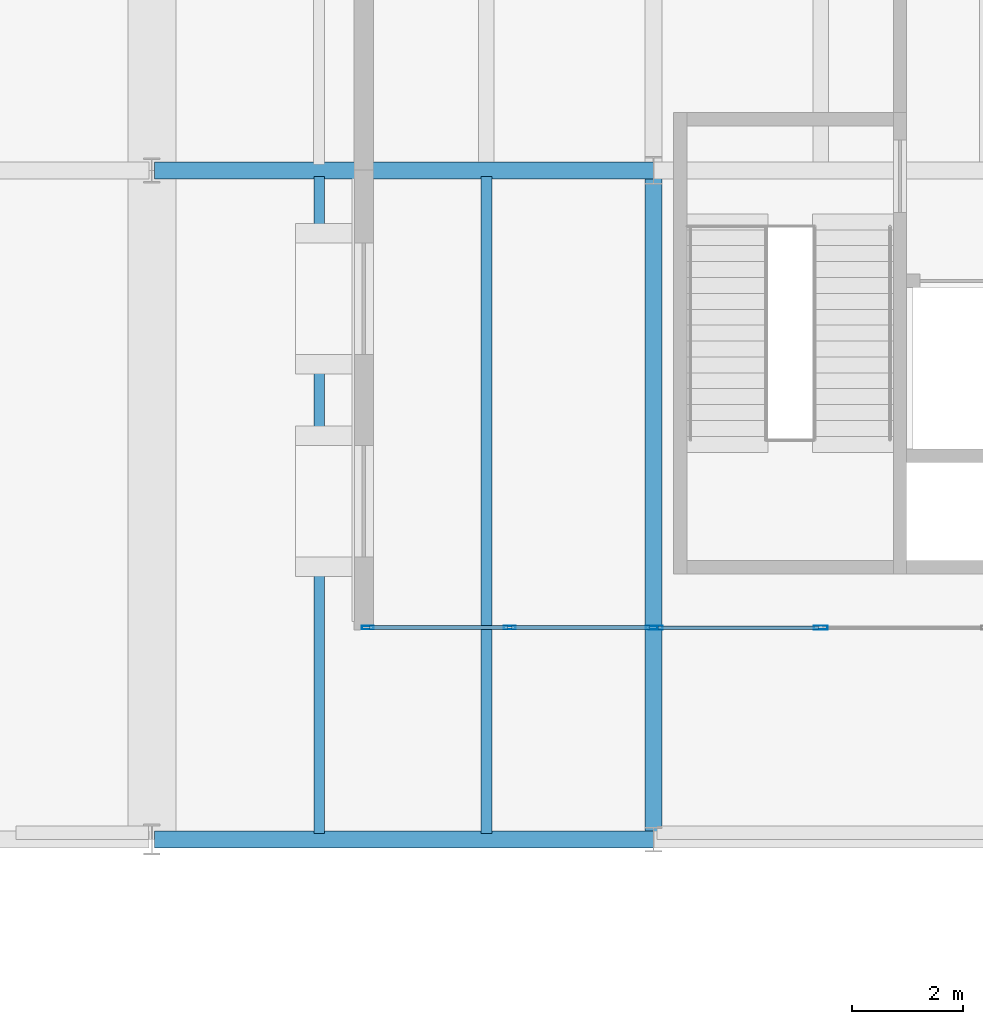
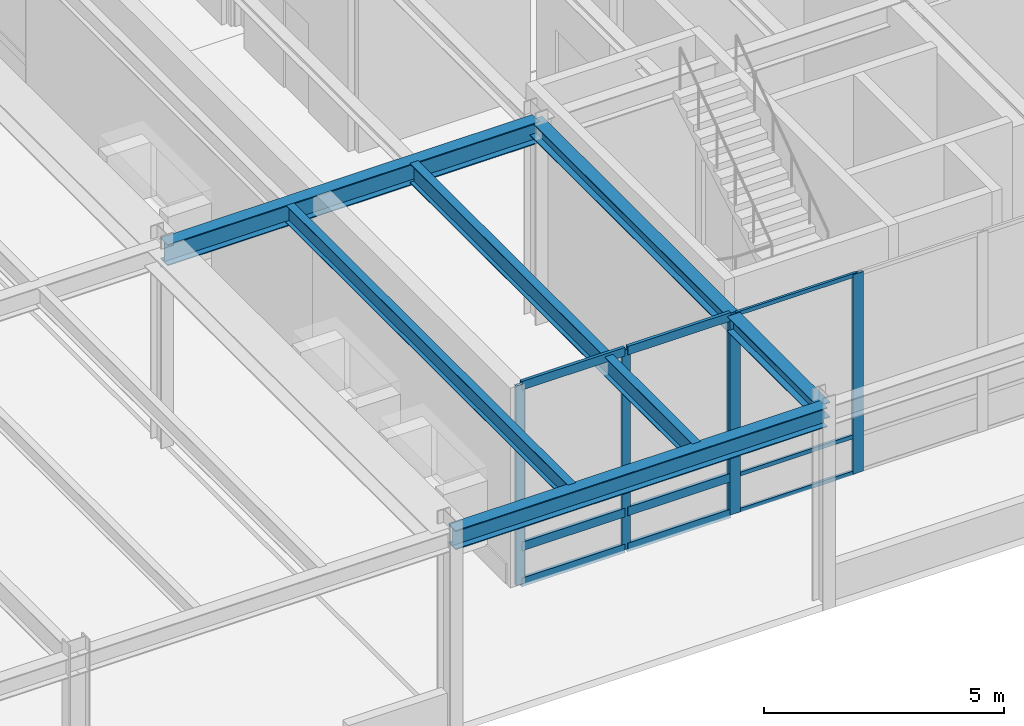
# One storey, part 34 of 143: 14 members, 5 beams, 2 elements without a shape of their own.
"""IFC4 building model written with IfcOpenShell, lengths in metres."""

import ifcopenshell
import ifcopenshell.guid

model = None  # the IFC model being written
_history = None  # IfcOwnerHistory: only IFC2X3 demands one
_inside = {}  # id of a spatial element -> (the spatial element, [elements in it])
_under = {}  # id of a project, library or spatial element -> (it, [spatial elements below it])
_declared = {}  # id of a project -> (the project, [libraries it declares])
_typed = {}  # id of a type object -> (the type object, [elements of that type])
_made_of = {}  # id of a material, layer set ... -> (it, [elements and type objects made of it])


def new_model(schema):
    """Start an empty IFC model of exactly this schema.

    Asked for "IFC4X3", IfcOpenShell would pick the latest addendum, in which some entities
    have other attributes; the version numbers below select the first issue.
    IFC2X3 requires an IfcOwnerHistory on every rooted entity: one is made here for all.
    """
    global model, _history
    if schema == "IFC4X3":
        model = ifcopenshell.file(schema_version=(4, 3, 0, 0))
    else:
        model = ifcopenshell.file(schema=schema)
    _inside.clear()
    _under.clear()
    _declared.clear()
    _typed.clear()
    _made_of.clear()
    _history = None
    if model.schema == "IFC2X3":
        org = make("IfcOrganization", Name="unknown")
        user = make(
            "IfcPersonAndOrganization",
            ThePerson=make("IfcPerson", FamilyName="unknown"),
            TheOrganization=org,
        )
        app = make(
            "IfcApplication",
            ApplicationDeveloper=org,
            Version="unknown",
            ApplicationFullName="unknown",
            ApplicationIdentifier="unknown",
        )
        _history = make(
            "IfcOwnerHistory",
            OwningUser=user,
            OwningApplication=app,
            ChangeAction="ADDED",
            CreationDate=0,
        )
    return model


def make(cls, **values):
    """One entity of the class cls with the attributes given. An attribute that is None is left unset."""
    return model.create_entity(
        cls, **{name: value for name, value in values.items() if value is not None}
    )


def rooted(cls, **values):
    """An entity with a GlobalId (a new one), such as an element, a storey or a relation."""
    return make(cls, GlobalId=ifcopenshell.guid.new(), OwnerHistory=_history, **values)


def si_unit(unit_type, name, prefix=None):
    """IfcSIUnit, for example si_unit("LENGTHUNIT", "METRE", prefix="MILLI")."""
    return make("IfcSIUnit", UnitType=unit_type, Prefix=prefix, Name=name)


def assignment(units):
    """IfcUnitAssignment: the units of a project."""
    return None if units is None else make("IfcUnitAssignment", Units=units)


def point(xyz):
    """IfcCartesianPoint."""
    return None if xyz is None else make("IfcCartesianPoint", Coordinates=xyz)


def direction(xyz):
    """IfcDirection."""
    return None if xyz is None else make("IfcDirection", DirectionRatios=xyz)


def frame(location, z_axis=None, x_axis=None):
    """IfcAxis2Placement3D, a coordinate frame: its origin and axes. An axis left out is left unset."""
    return make(
        "IfcAxis2Placement3D",
        Location=point(location),
        Axis=direction(z_axis),
        RefDirection=direction(x_axis),
    )


def frame_2d(location, x_axis=None):
    """IfcAxis2Placement2D, a coordinate frame in the plane: its origin and x axis."""
    return make(
        "IfcAxis2Placement2D", Location=point(location), RefDirection=direction(x_axis)
    )


def origin():
    """The frame at (0, 0, 0) with its axes left unset."""
    return frame((0.0, 0.0, 0.0))


def origin_2d():
    """The frame at (0, 0) in the plane with its x axis left unset."""
    return frame_2d((0.0, 0.0))


def place(relative_to, where):
    """IfcLocalPlacement: puts the frame where relative to a parent placement (None: the world)."""
    return make(
        "IfcLocalPlacement", PlacementRelTo=relative_to, RelativePlacement=where
    )


def context(
    kind, dimensions, precision=None, world=None, true_north=None, identifier=None
):
    """IfcGeometricRepresentationContext, for example the 3D "Model" context."""
    return make(
        "IfcGeometricRepresentationContext",
        ContextIdentifier=identifier,
        ContextType=kind,
        CoordinateSpaceDimension=dimensions,
        Precision=precision,
        WorldCoordinateSystem=world,
        TrueNorth=true_north,
    )


def subcontext(parent, identifier, kind, view, scale=None):
    """IfcGeometricRepresentationSubContext, for example "Body" below "Model"."""
    return make(
        "IfcGeometricRepresentationSubContext",
        ContextIdentifier=identifier,
        ContextType=kind,
        ParentContext=parent,
        TargetScale=scale,
        TargetView=view,
    )


def project(units=None, contexts=None):
    """IfcProject with its units and contexts."""
    return rooted(
        "IfcProject",
        Name="project",
        RepresentationContexts=contexts,
        UnitsInContext=assignment(units),
    )


def spatial(cls, under=None, at=None, **own):
    """A site, building, storey or space (cls), placed at a placement, below another one or the project."""
    s = rooted(cls, ObjectPlacement=at, **own)
    if under is not None:
        _under.setdefault(under.id(), (under, []))[1].append(s)
    return s


def profile(cls, at=None, kind="AREA", **sizes):
    """A parametric profile (cls). Its sizes go by their IFC names, for example OverallWidth=200.0."""
    return make(cls, ProfileType=kind, Position=at, **sizes)


def hollow_rectangle(**sizes):
    """IfcRectangleHollowProfileDef."""
    return profile("IfcRectangleHollowProfileDef", **sizes)


def i_section(**sizes):
    """IfcIShapeProfileDef."""
    return profile("IfcIShapeProfileDef", **sizes)


def extrude(swept, where, along, depth):
    """IfcExtrudedAreaSolid: the profile swept, set in the frame where, extruded along a direction by depth."""
    return make(
        "IfcExtrudedAreaSolid",
        SweptArea=swept,
        Position=where,
        ExtrudedDirection=direction(along),
        Depth=depth,
    )


def shape(context_of_items, identifier, shape_type, items):
    """IfcShapeRepresentation: the items that make up one representation, for example the "Body"."""
    return make(
        "IfcShapeRepresentation",
        ContextOfItems=context_of_items,
        RepresentationIdentifier=identifier,
        RepresentationType=shape_type,
        Items=items,
    )


def material(Name=None, Category=None):
    """IfcMaterial."""
    return make("IfcMaterial", Name=Name, Category=Category)


def layer(
    of_material, thickness, ventilated=None, Name=None, Category=None, Priority=None
):
    """IfcMaterialLayer: one layer of a wall or slab, of a material (None: an air gap)."""
    return make(
        "IfcMaterialLayer",
        Material=of_material,
        LayerThickness=thickness,
        IsVentilated=ventilated,
        Name=Name,
        Category=Category,
        Priority=Priority,
    )


def layer_set(layers, Name=None):
    """IfcMaterialLayerSet."""
    return make("IfcMaterialLayerSet", MaterialLayers=layers, LayerSetName=Name)


def material_profile(
    of_material, cross_section, Name=None, Category=None, Priority=None
):
    """IfcMaterialProfile: a cross section and its material."""
    return make(
        "IfcMaterialProfile",
        Name=Name,
        Material=of_material,
        Profile=cross_section,
        Priority=Priority,
        Category=Category,
    )


def profile_set(profiles, Name=None, composite=None):
    """IfcMaterialProfileSet."""
    return make(
        "IfcMaterialProfileSet",
        Name=Name,
        MaterialProfiles=profiles,
        CompositeProfile=composite,
    )


def made_of(thing, what):
    """Note that an element or type object is made of a material, layer set ...; save() writes the relation."""
    if what is not None:
        _made_of.setdefault(what.id(), (what, []))[1].append(thing)
    return thing


def type_object(cls, material=None, **own):
    """A type object (cls), such as IfcWallType, which elements share."""
    return made_of(rooted(cls, **own), material)


def element(
    cls,
    number,
    at=None,
    inside=None,
    cuts=None,
    type_object=None,
    material=None,
    context=None,
    identifier="Body",
    shape_type=None,
    held_by="IfcProductDefinitionShape",
    body=None,
    shapes=None,
    **own,
):
    """One element of the class cls, such as IfcWall. Its Tag is "e" and its number.

    at: its placement. inside: the storey or other place that contains it. cuts: it is an
    opening in that element (IfcRelVoidsElement). A single representation is given by context,
    identifier, shape_type and body (its items); several are given by shapes. held_by: the class
    of the entity that holds the representations. save() writes the other relations.
    """
    e = rooted(cls, Tag="e%d" % number, ObjectPlacement=at, **own)
    if body is not None:
        shapes = [shape(context, identifier, shape_type, body)]
    if shapes is not None:
        e.Representation = make(held_by, Representations=shapes)
    if inside is not None:
        _inside.setdefault(inside.id(), (inside, []))[1].append(e)
    if cuts is not None:
        rooted(
            "IfcRelVoidsElement", RelatingBuildingElement=cuts, RelatedOpeningElement=e
        )
    if type_object is not None:
        _typed.setdefault(type_object.id(), (type_object, []))[1].append(e)
    return made_of(e, material)


def aggregate(whole, parts):
    """IfcRelAggregates: a whole, such as a stair, and the parts it consists of."""
    return rooted("IfcRelAggregates", RelatingObject=whole, RelatedObjects=parts)


def save(model, path):
    """Write the relations noted so far, then the file.

    IfcRelAggregates (storeys below a building ...), IfcRelContainedInSpatialStructure (elements
    in a storey), IfcRelDefinesByType, IfcRelAssociatesMaterial and IfcRelDeclares: one each for
    every whole, place, type object, material and project.
    """
    for whole, parts in _under.values():
        aggregate(whole, parts)
    for where, things in _inside.values():
        rooted(
            "IfcRelContainedInSpatialStructure",
            RelatedElements=things,
            RelatingStructure=where,
        )
    for kind, things in _typed.values():
        rooted("IfcRelDefinesByType", RelatedObjects=things, RelatingType=kind)
    for what, things in _made_of.values():
        rooted("IfcRelAssociatesMaterial", RelatedObjects=things, RelatingMaterial=what)
    for by, libraries in _declared.values():
        rooted("IfcRelDeclares", RelatingContext=by, RelatedDefinitions=libraries)
    model.write(path)


model = new_model("IFC4")

# Units and contexts
model_context = context("Model", 3, precision=1e-05, world=origin(), true_north=direction((0.0, 1.0)))
body_context = subcontext(model_context, "Body", "Model", "MODEL_VIEW")
ifc_project = project(units=[si_unit("LENGTHUNIT", "METRE"), si_unit("AREAUNIT", "SQUARE_METRE"), si_unit("VOLUMEUNIT", "CUBIC_METRE"), si_unit("PLANEANGLEUNIT", "RADIAN"), si_unit("MASSUNIT", "GRAM", prefix="KILO")], contexts=[model_context])

# Site, building, storey
site_placement = place(None, origin())
site = spatial("IfcSite", under=ifc_project, at=site_placement, CompositionType="ELEMENT")
building_placement = place(site_placement, origin())
building = spatial("IfcBuilding", under=site, at=building_placement, Name="Montelvaro Courts of Justice", CompositionType="ELEMENT")
storey_placement = place(building_placement, origin())
storey = spatial("IfcBuildingStorey", under=building, at=storey_placement, Name="L00", CompositionType="ELEMENT", Elevation=0.0)

# Beams
ifc_material_1 = material(Name="Steel S355", Category="steel")
ifc_material_profile_1 = material_profile(ifc_material_1, i_section(OverallWidth=0.300048828125, OverallDepth=0.389892578125, WebThickness=0.010986328125, FlangeThickness=0.01904296875, at=origin_2d()), Name="HEA 400")
ifc_profile_set_1 = profile_set([ifc_material_profile_1], Name="Steel S355")
beam_type_1 = type_object("IfcBeamType", Name="Beam_HEA400", PredefinedType="USERDEFINED", material=ifc_profile_set_1)
beam_1_placement = place(storey_placement, frame((108.0, 0.0, 4.885009765625), z_axis=(0.0, 1.0, 0.0), x_axis=(-1.0, 0.0, 0.0)))
element("IfcBeam", 1, at=beam_1_placement, inside=storey, type_object=beam_type_1, Name="Beam B-17 L00", ObjectType="GIRDER", PredefinedType="USERDEFINED", context=body_context, shape_type="SweptSolid", body=[
    extrude(i_section(OverallWidth=0.300048828125, OverallDepth=0.389892578125, WebThickness=0.010986328125, FlangeThickness=0.01904296875, at=origin_2d()), origin(), (0.0, 0.0, 1.0), 12.0),
])
ifc_material_profile_2 = material_profile(ifc_material_1, i_section(OverallWidth=0.300048828125, OverallDepth=0.489990234375, WebThickness=0.011962890625, FlangeThickness=0.02294921875, at=origin_2d()), Name="HEA 500")
ifc_profile_set_2 = profile_set([ifc_material_profile_2], Name="Steel S355")
beam_type_2 = type_object("IfcBeamType", Name="Beam_HEA500", PredefinedType="USERDEFINED", material=ifc_profile_set_2)
beam_2_placement = place(storey_placement, frame((99.050048828125, 0.0, 4.8349609375), z_axis=(1.0, 0.0, 0.0), x_axis=(0.0, 1.0, 0.0)))
element("IfcBeam", 2, at=beam_2_placement, inside=storey, type_object=beam_type_2, Name="Beam B-19 L00", ObjectType="GIRDER", PredefinedType="USERDEFINED", context=body_context, shape_type="SweptSolid", body=[
    extrude(i_section(OverallWidth=0.300048828125, OverallDepth=0.489990234375, WebThickness=0.011962890625, FlangeThickness=0.02294921875, at=origin_2d()), origin(), (0.0, 0.0, 1.0), 8.949951171875),
])
ifc_material_profile_3 = material_profile(ifc_material_1, i_section(OverallWidth=0.300048828125, OverallDepth=0.5400390625, WebThickness=0.012451171875, FlangeThickness=0.02392578125, at=origin_2d()), Name="HEA 550")
ifc_profile_set_3 = profile_set([ifc_material_profile_3], Name="Steel S355")
beam_type_3 = type_object("IfcBeamType", Name="Beam_HEA550", PredefinedType="USERDEFINED", material=ifc_profile_set_3)
beam_3_placement = place(storey_placement, frame((99.050048828125, 12.0, 4.81005859375), z_axis=(1.0, 0.0, 0.0), x_axis=(0.0, 1.0, 0.0)))
element("IfcBeam", 3, at=beam_3_placement, inside=storey, type_object=beam_type_3, Name="Beam B-20 L00", ObjectType="GIRDER", PredefinedType="USERDEFINED", context=body_context, shape_type="SweptSolid", body=[
    extrude(i_section(OverallWidth=0.300048828125, OverallDepth=0.5400390625, WebThickness=0.012451171875, FlangeThickness=0.02392578125, at=origin_2d()), origin(), (0.0, 0.0, 1.0), 8.949951171875),
])
ifc_material_profile_4 = material_profile(ifc_material_1, i_section(OverallWidth=0.18994140625, OverallDepth=0.449951171875, WebThickness=0.009521484375, FlangeThickness=0.0146484375, at=origin_2d()), Name="IPE 450")
ifc_profile_set_4 = profile_set([ifc_material_profile_4], Name="Steel S355")
beam_type_4 = type_object("IfcBeamType", Name="Beam_IPE450", PredefinedType="BEAM", material=ifc_profile_set_4)
beam_4_placement = place(storey_placement, frame((102.0, 0.110107421875, 4.85498046875), z_axis=(0.0, 1.0, 0.0), x_axis=(-1.0, 0.0, 0.0)))
element("IfcBeam", 4, at=beam_4_placement, inside=storey, type_object=beam_type_4, Name="Beam B-09 L00", PredefinedType="BEAM", context=body_context, shape_type="SweptSolid", body=[
    extrude(i_section(OverallWidth=0.18994140625, OverallDepth=0.449951171875, WebThickness=0.009521484375, FlangeThickness=0.0146484375, at=origin_2d()), origin(), (0.0, 0.0, 1.0), 11.77978515625),
])
ifc_material_profile_5 = material_profile(ifc_material_1, i_section(OverallWidth=0.199951171875, OverallDepth=0.5, WebThickness=0.01025390625, FlangeThickness=0.01611328125, at=origin_2d()), Name="IPE 500")
ifc_profile_set_5 = profile_set([ifc_material_profile_5], Name="Steel S355")
beam_type_5 = type_object("IfcBeamType", Name="Beam_IPE500", PredefinedType="BEAM", material=ifc_profile_set_5)
beam_5_placement = place(storey_placement, frame((105.0, 0.110107421875, 4.830078125), z_axis=(0.0, 1.0, 0.0), x_axis=(-1.0, 0.0, 0.0)))
element("IfcBeam", 5, at=beam_5_placement, inside=storey, type_object=beam_type_5, Name="Beam B-10 L00", PredefinedType="BEAM", context=body_context, shape_type="SweptSolid", body=[
    extrude(i_section(OverallWidth=0.199951171875, OverallDepth=0.5, WebThickness=0.01025390625, FlangeThickness=0.01611328125, at=origin_2d()), origin(), (0.0, 0.0, 1.0), 11.77978515625),
])

# Curtain wall, members
ifc_material_2 = material(Name="Anodised aluminium EN AW-6063", Category="aluminium")
ifc_layer_1 = layer(ifc_material_2, 0.159912109375)
ifc_layer_set_1 = layer_set([ifc_layer_1], Name="Anodised aluminium EN AW-6063")
curtain_wall_type_1 = type_object("IfcCurtainWallType", Name="CurtainWall_12_516x508", PredefinedType="USERDEFINED", material=ifc_layer_set_1)
curtain_wall_1_placement = place(storey_placement, origin())
curtain_wall_1 = element("IfcCurtainWall", 6, at=curtain_wall_1_placement, inside=storey, type_object=curtain_wall_type_1, Name="Curtain Wall CW-12 (L00)", ObjectType="CURTAIN WALL", PredefinedType="USERDEFINED")
ifc_material_profile_6 = material_profile(ifc_material_2, hollow_rectangle(XDim=0.06494140625, YDim=0.2099609375, WallThickness=0.0048828125, at=origin_2d()), Name="ALU-M 65x210")
ifc_profile_set_6 = profile_set([ifc_material_profile_6], Name="Anodised aluminium EN AW-6063")
member_type_1 = type_object("IfcMemberType", Name="CurtainWall_Mullion_65x210", PredefinedType="MULLION", material=ifc_profile_set_6)
member_1_placement = place(storey_placement, frame((102.87255859375, 3.800048828125, 0.0), z_axis=(0.0, 0.0, 1.0), x_axis=(0.0, 1.0, 0.0)))
member_1 = element("IfcMember", 7, at=member_1_placement, type_object=member_type_1, Name="CW-12 mullion 1", PredefinedType="MULLION", context=body_context, shape_type="SweptSolid", body=[
    extrude(hollow_rectangle(XDim=0.06494140625, YDim=0.2099609375, WallThickness=0.0048828125, at=origin_2d()), origin(), (0.0, 0.0, 1.0), 5.080078125),
])
member_2_placement = place(storey_placement, frame((105.419921875, 3.800048828125, 0.0), z_axis=(0.0, 0.0, 1.0), x_axis=(0.0, 1.0, 0.0)))
member_2 = element("IfcMember", 8, at=member_2_placement, type_object=member_type_1, Name="CW-12 mullion 2", PredefinedType="MULLION", context=body_context, shape_type="SweptSolid", body=[
    extrude(hollow_rectangle(XDim=0.06494140625, YDim=0.2099609375, WallThickness=0.0048828125, at=origin_2d()), origin(), (0.0, 0.0, 1.0), 5.080078125),
])
member_3_placement = place(storey_placement, frame((107.967529296875, 3.800048828125, 0.0), z_axis=(0.0, 0.0, 1.0), x_axis=(0.0, 1.0, 0.0)))
member_3 = element("IfcMember", 9, at=member_3_placement, type_object=member_type_1, Name="CW-12 mullion 3", PredefinedType="MULLION", context=body_context, shape_type="SweptSolid", body=[
    extrude(hollow_rectangle(XDim=0.06494140625, YDim=0.2099609375, WallThickness=0.0048828125, at=origin_2d()), origin(), (0.0, 0.0, 1.0), 5.080078125),
])

ifc_layer_2 = layer(ifc_material_2, 0.159912109375)
ifc_layer_set_2 = layer_set([ifc_layer_2], Name="Anodised aluminium EN AW-6063")
curtain_wall_type_2 = type_object("IfcCurtainWallType", Name="CurtainWall_11_900x508", PredefinedType="USERDEFINED", material=ifc_layer_set_2)
curtain_wall_2_placement = place(storey_placement, origin())
curtain_wall_2 = element("IfcCurtainWall", 10, at=curtain_wall_2_placement, inside=storey, type_object=curtain_wall_type_2, Name="Curtain Wall CW-11 (L00)", ObjectType="CURTAIN WALL", PredefinedType="USERDEFINED")
ifc_material_profile_7 = material_profile(ifc_material_2, hollow_rectangle(XDim=0.074951171875, YDim=0.25, WallThickness=0.005615234375, at=origin_2d()), Name="ALU-M 75x250")
ifc_profile_set_7 = profile_set([ifc_material_profile_7], Name="Anodised aluminium EN AW-6063")
member_type_2 = type_object("IfcMemberType", Name="CurtainWall_Mullion_75x250", PredefinedType="MULLION", material=ifc_profile_set_7)
member_4_placement = place(storey_placement, frame((108.03759765625, 3.800048828125, 0.0), z_axis=(0.0, 0.0, 1.0), x_axis=(0.0, 1.0, 0.0)))
member_4 = element("IfcMember", 11, at=member_4_placement, type_object=member_type_2, Name="CW-11 mullion 1", PredefinedType="MULLION", context=body_context, shape_type="SweptSolid", body=[
    extrude(hollow_rectangle(XDim=0.074951171875, YDim=0.25, WallThickness=0.005615234375, at=origin_2d()), origin(), (0.0, 0.0, 1.0), 5.080078125),
])
member_5_placement = place(storey_placement, frame((111.0, 3.800048828125, 0.0), z_axis=(0.0, 0.0, 1.0), x_axis=(0.0, 1.0, 0.0)))
member_5 = element("IfcMember", 12, at=member_5_placement, type_object=member_type_2, Name="CW-11 mullion 2", PredefinedType="MULLION", context=body_context, shape_type="SweptSolid", body=[
    extrude(hollow_rectangle(XDim=0.074951171875, YDim=0.25, WallThickness=0.005615234375, at=origin_2d()), origin(), (0.0, 0.0, 1.0), 5.080078125),
])
ifc_material_profile_8 = material_profile(ifc_material_2, hollow_rectangle(XDim=0.06005859375, YDim=0.10009765625, WallThickness=0.00341796875, at=origin_2d()), Name="ALU-T 60x100")
ifc_profile_set_8 = profile_set([ifc_material_profile_8], Name="Anodised aluminium EN AW-6063")
member_type_3 = type_object("IfcMemberType", Name="CurtainWall_Transom_60x100", PredefinedType="USERDEFINED", material=ifc_profile_set_8)
member_6_placement = place(storey_placement, frame((108.074951171875, 3.800048828125, 0.030029296875), z_axis=(1.0, 0.0, 0.0), x_axis=(0.0, 1.0, 0.0)))
member_6 = element("IfcMember", 13, at=member_6_placement, type_object=member_type_3, Name="CW-11 transom 1.1", ObjectType="TRANSOM", PredefinedType="USERDEFINED", context=body_context, shape_type="SweptSolid", body=[
    extrude(hollow_rectangle(XDim=0.06005859375, YDim=0.10009765625, WallThickness=0.00341796875, at=origin_2d()), origin(), (0.0, 0.0, 1.0), 2.887451171875),
])
member_7_placement = place(storey_placement, frame((108.074951171875, 3.800048828125, 0.949951171875), z_axis=(1.0, 0.0, 0.0), x_axis=(0.0, 1.0, 0.0)))
member_7 = element("IfcMember", 14, at=member_7_placement, type_object=member_type_3, Name="CW-11 transom 1.2", ObjectType="TRANSOM", PredefinedType="USERDEFINED", context=body_context, shape_type="SweptSolid", body=[
    extrude(hollow_rectangle(XDim=0.06005859375, YDim=0.10009765625, WallThickness=0.00341796875, at=origin_2d()), origin(), (0.0, 0.0, 1.0), 2.887451171875),
])
member_8_placement = place(storey_placement, frame((108.074951171875, 3.800048828125, 5.050048828125), z_axis=(1.0, 0.0, 0.0), x_axis=(0.0, 1.0, 0.0)))
member_8 = element("IfcMember", 15, at=member_8_placement, type_object=member_type_3, Name="CW-11 transom 1.3", ObjectType="TRANSOM", PredefinedType="USERDEFINED", context=body_context, shape_type="SweptSolid", body=[
    extrude(hollow_rectangle(XDim=0.06005859375, YDim=0.10009765625, WallThickness=0.00341796875, at=origin_2d()), origin(), (0.0, 0.0, 1.0), 2.887451171875),
])
aggregate(curtain_wall_2, [member_4, member_5, member_6, member_7, member_8])

# Member
ifc_material_profile_9 = material_profile(ifc_material_2, hollow_rectangle(XDim=0.074951171875, YDim=0.219970703125, WallThickness=0.005615234375, at=origin_2d()), Name="ALU-T 75x220")
ifc_profile_set_9 = profile_set([ifc_material_profile_9], Name="Anodised aluminium EN AW-6063")
member_type_4 = type_object("IfcMemberType", Name="CurtainWall_Transom_75x220", PredefinedType="USERDEFINED", material=ifc_profile_set_9)
member_9_placement = place(storey_placement, frame((102.905029296875, 3.800048828125, 0.03759765625), z_axis=(1.0, 0.0, 0.0), x_axis=(0.0, 1.0, 0.0)))
member_9 = element("IfcMember", 16, at=member_9_placement, type_object=member_type_4, Name="CW-12 transom 1.1", ObjectType="TRANSOM", PredefinedType="USERDEFINED", context=body_context, shape_type="SweptSolid", body=[
    extrude(hollow_rectangle(XDim=0.074951171875, YDim=0.219970703125, WallThickness=0.005615234375, at=origin_2d()), origin(), (0.0, 0.0, 1.0), 2.482421875),
])

member_10_placement = place(storey_placement, frame((102.905029296875, 3.800048828125, 0.949951171875), z_axis=(1.0, 0.0, 0.0), x_axis=(0.0, 1.0, 0.0)))
member_10 = element("IfcMember", 17, at=member_10_placement, type_object=member_type_4, Name="CW-12 transom 1.2", ObjectType="TRANSOM", PredefinedType="USERDEFINED", context=body_context, shape_type="SweptSolid", body=[
    extrude(hollow_rectangle(XDim=0.074951171875, YDim=0.219970703125, WallThickness=0.005615234375, at=origin_2d()), origin(), (0.0, 0.0, 1.0), 2.482421875),
])

member_11_placement = place(storey_placement, frame((102.905029296875, 3.800048828125, 5.04248046875), z_axis=(1.0, 0.0, 0.0), x_axis=(0.0, 1.0, 0.0)))
member_11 = element("IfcMember", 18, at=member_11_placement, type_object=member_type_4, Name="CW-12 transom 1.3", ObjectType="TRANSOM", PredefinedType="USERDEFINED", context=body_context, shape_type="SweptSolid", body=[
    extrude(hollow_rectangle(XDim=0.074951171875, YDim=0.219970703125, WallThickness=0.005615234375, at=origin_2d()), origin(), (0.0, 0.0, 1.0), 2.482421875),
])

member_12_placement = place(storey_placement, frame((105.452392578125, 3.800048828125, 0.03759765625), z_axis=(1.0, 0.0, 0.0), x_axis=(0.0, 1.0, 0.0)))
member_12 = element("IfcMember", 19, at=member_12_placement, type_object=member_type_4, Name="CW-12 transom 2.1", ObjectType="TRANSOM", PredefinedType="USERDEFINED", context=body_context, shape_type="SweptSolid", body=[
    extrude(hollow_rectangle(XDim=0.074951171875, YDim=0.219970703125, WallThickness=0.005615234375, at=origin_2d()), origin(), (0.0, 0.0, 1.0), 2.482666015625),
])

member_13_placement = place(storey_placement, frame((105.452392578125, 3.800048828125, 0.949951171875), z_axis=(1.0, 0.0, 0.0), x_axis=(0.0, 1.0, 0.0)))
member_13 = element("IfcMember", 20, at=member_13_placement, type_object=member_type_4, Name="CW-12 transom 2.2", ObjectType="TRANSOM", PredefinedType="USERDEFINED", context=body_context, shape_type="SweptSolid", body=[
    extrude(hollow_rectangle(XDim=0.074951171875, YDim=0.219970703125, WallThickness=0.005615234375, at=origin_2d()), origin(), (0.0, 0.0, 1.0), 2.482666015625),
])

member_14_placement = place(storey_placement, frame((105.452392578125, 3.800048828125, 5.04248046875), z_axis=(1.0, 0.0, 0.0), x_axis=(0.0, 1.0, 0.0)))
member_14 = element("IfcMember", 21, at=member_14_placement, type_object=member_type_4, Name="CW-12 transom 2.3", ObjectType="TRANSOM", PredefinedType="USERDEFINED", context=body_context, shape_type="SweptSolid", body=[
    extrude(hollow_rectangle(XDim=0.074951171875, YDim=0.219970703125, WallThickness=0.005615234375, at=origin_2d()), origin(), (0.0, 0.0, 1.0), 2.482666015625),
])

aggregate(curtain_wall_1, [member_1, member_2, member_3, member_9, member_10, member_11, member_12, member_13, member_14])

save(model, "model.ifc")
